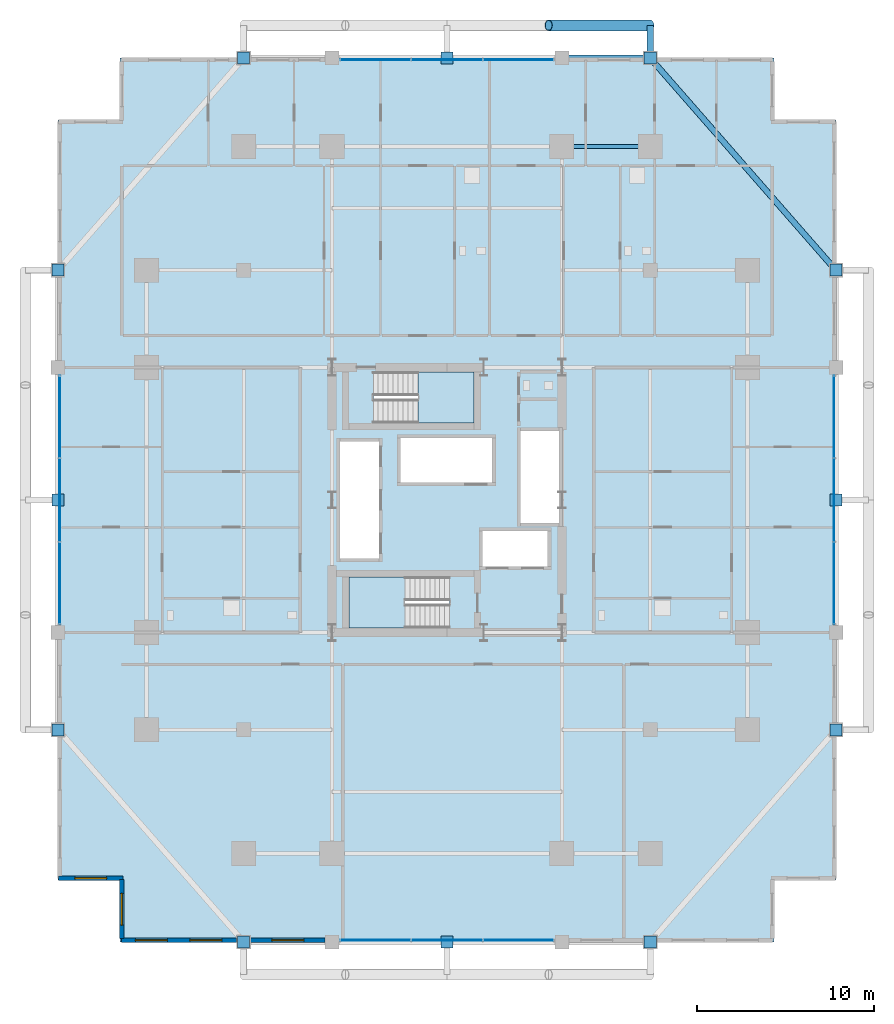
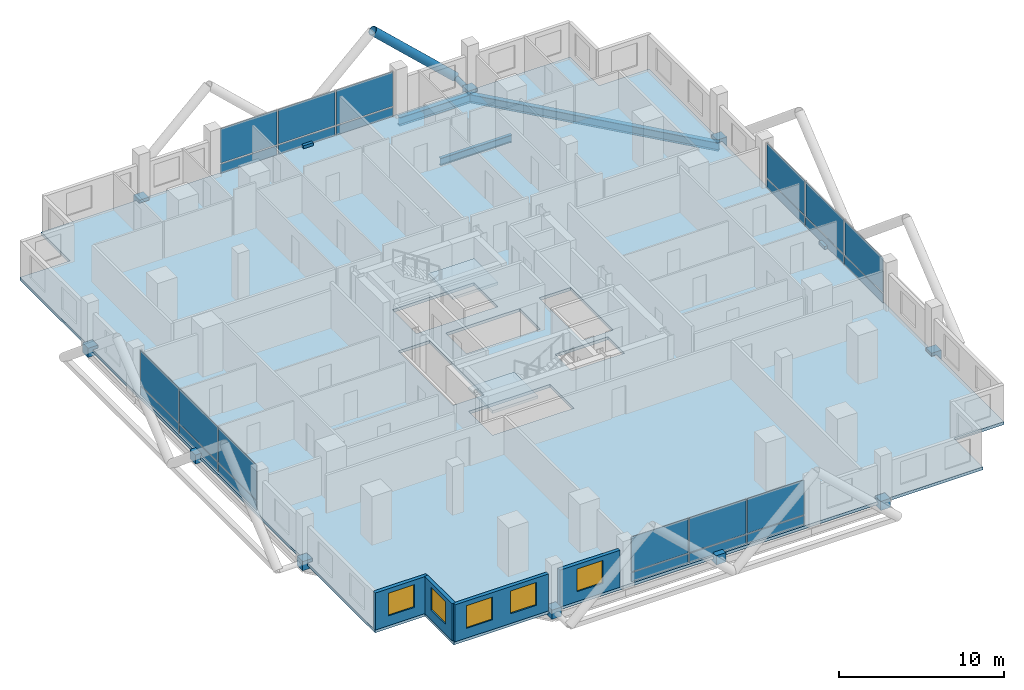
# One storey, part 20 of 27: 36 plates, 5 windows, 4 walls, 3 beams, 3 slabs, 2 members, 5 openings, 6 elements without a shape of their own.
"""IFC4 building model written with IfcOpenShell, lengths in metres."""

from ifc_helpers import new_model, si_unit, direction, frame, frame_2d, origin, origin_2d, place, context, subcontext, project, spatial, polyline, rectangle, hollow_circle, i_section, outline, extrude, material, layer, layer_set, material_profile, profile_set, type_object, element, fill, aggregate, save


model = new_model("IFC4")

# Units and contexts
model_context = context("Model", 3, precision=1e-05, world=origin(), true_north=direction((0.0, 1.0)))
body_context = subcontext(model_context, "Body", "Model", "MODEL_VIEW")
ifc_project = project(units=[si_unit("LENGTHUNIT", "METRE"), si_unit("AREAUNIT", "SQUARE_METRE"), si_unit("VOLUMEUNIT", "CUBIC_METRE"), si_unit("PLANEANGLEUNIT", "RADIAN"), si_unit("MASSUNIT", "GRAM", prefix="KILO")], contexts=[model_context])

# Site, building, storey
site_placement = place(None, origin())
site = spatial("IfcSite", under=ifc_project, at=site_placement, CompositionType="ELEMENT")
building_placement = place(site_placement, origin())
building = spatial("IfcBuilding", under=site, at=building_placement, Name="Barlavira Tower and Art Museum", CompositionType="ELEMENT")
storey_placement = place(building_placement, frame((0.0, 0.0, 61.199951171875)))
storey = spatial("IfcBuildingStorey", under=building, at=storey_placement, Name="L14", CompositionType="ELEMENT", Elevation=61.199951171875)

# Members
ifc_material_1 = material(Name="Steel S355", Category="steel")
ifc_material_profile_1 = material_profile(ifc_material_1, hollow_circle(Radius=0.304931640625, WallThickness=0.028076171875, at=origin_2d()), Name="CHS 610.0x28.0")
ifc_profile_set_1 = profile_set([ifc_material_profile_1], Name="Steel S355")
member_type_1 = type_object("IfcMemberType", Name="Pale-Metal Exoskeleton Diagrid Tube CHS 610x28 Steel S355", PredefinedType="BRACE", material=ifc_profile_set_1)
member_1_placement = place(storey_placement, frame((11.5, 26.85009765625, -0.119873046875), z_axis=(-0.728950095515, 0.0, 0.684566839869), x_axis=(0.0, -1.0, 0.0)))
element("IfcMember", 1, at=member_1_placement, inside=storey, type_object=member_type_1, Name="L14 Exoskeleton Diagrid Tube N", PredefinedType="BRACE", context=body_context, shape_type="SweptSolid", body=[
    extrude(hollow_circle(Radius=0.304931640625, WallThickness=0.028076171875, at=origin_2d()), origin(), (0.0, 0.0, 1.0), 7.887939453125),
])
ifc_material_profile_2 = material_profile(ifc_material_1, hollow_circle(Radius=0.177734375, WallThickness=0.01611328125, at=origin_2d()), Name="CHS 355.6x16.0")
ifc_profile_set_2 = profile_set([ifc_material_profile_2], Name="Steel S355")
member_type_2 = type_object("IfcMemberType", Name="Pale-Metal Exoskeleton Tie Strut CHS 356x16 Steel S355", PredefinedType="STRUT", material=ifc_profile_set_2)
member_2_placement = place(storey_placement, frame((11.5, 26.85009765625, -0.119873046875), z_axis=(0.0, -1.0, 0.0), x_axis=(1.0, 0.0, 0.0)))
element("IfcMember", 2, at=member_2_placement, inside=storey, type_object=member_type_2, Name="L14 Exoskeleton Tie Strut N3", PredefinedType="STRUT", context=body_context, shape_type="SweptSolid", body=[
    extrude(hollow_circle(Radius=0.177734375, WallThickness=0.01611328125, at=origin_2d()), origin(), (0.0, 0.0, 1.0), 1.85009765625),
])

# Beams
ifc_material_profile_3 = material_profile(ifc_material_1, i_section(OverallWidth=0.327880859375, OverallDepth=0.62890625, WebThickness=0.013916015625, FlangeThickness=0.021484375, at=origin_2d()), Name="W610x174.0")
ifc_profile_set_3 = profile_set([ifc_material_profile_3], Name="Steel S355")
beam_type_1 = type_object("IfcBeamType", Name="Perimeter Spandrel Edge Beam W610x174 Steel S355", PredefinedType="SPANDREL", material=ifc_profile_set_3)
beam_1_placement = place(storey_placement, frame((22.0, 13.0, -0.534423828125), z_axis=(-0.658504607869, 0.752576694707, 0.0), x_axis=(-0.752576694707, -0.658504607869, 0.0)))
element("IfcBeam", 3, at=beam_1_placement, inside=storey, type_object=beam_type_1, Name="L14 Spandrel 8", PredefinedType="SPANDREL", context=body_context, shape_type="SweptSolid", body=[
    extrude(i_section(OverallWidth=0.327880859375, OverallDepth=0.62890625, WebThickness=0.013916015625, FlangeThickness=0.021484375, at=origin_2d()), origin(), (0.0, 0.0, 1.0), 15.9453125),
])
beam_2_placement = place(storey_placement, frame((6.5, 25.0, -0.534423828125), z_axis=(1.0, 0.0, 0.0), x_axis=(0.0, 1.0, 0.0)))
element("IfcBeam", 4, at=beam_2_placement, inside=storey, type_object=beam_type_1, Name="L14 Spandrel 9", PredefinedType="SPANDREL", context=body_context, shape_type="SweptSolid", body=[
    extrude(i_section(OverallWidth=0.327880859375, OverallDepth=0.62890625, WebThickness=0.013916015625, FlangeThickness=0.021484375, at=origin_2d()), origin(), (0.0, 0.0, 1.0), 5.0),
])
ifc_material_profile_4 = material_profile(ifc_material_1, i_section(OverallWidth=0.214111328125, OverallDepth=0.549072265625, WebThickness=0.0146484375, FlangeThickness=0.023681640625, at=origin_2d()), Name="W530x138.0")
ifc_profile_set_4 = profile_set([ifc_material_profile_4], Name="Steel S355")
beam_type_2 = type_object("IfcBeamType", Name="Zone 1 Primary Floor Girder W530x138 Steel S355", PredefinedType="BEAM", material=ifc_profile_set_4)
beam_3_placement = place(storey_placement, frame((6.5, 20.0, -0.494384765625), z_axis=(1.0, 0.0, 0.0), x_axis=(0.0, 1.0, 0.0)))
element("IfcBeam", 5, at=beam_3_placement, inside=storey, type_object=beam_type_2, Name="L14 Girder M-N3", PredefinedType="BEAM", context=body_context, shape_type="SweptSolid", body=[
    extrude(i_section(OverallWidth=0.214111328125, OverallDepth=0.549072265625, WebThickness=0.0146484375, FlangeThickness=0.023681640625, at=origin_2d()), origin(), (0.0, 0.0, 1.0), 5.0),
])

# Curtain wall, plates
ifc_material_2 = material(Name="Low-iron coastal laminated glass", Category="glass")
ifc_layer_1 = layer(ifc_material_2, 0.179931640625, Name="Low-iron coastal laminated glass")
ifc_layer_set_1 = layer_set([ifc_layer_1], Name="Low-iron coastal laminated glass")
curtain_wall_type = type_object("IfcCurtainWallType", Name="Pale-Metal Unitised Curtain Wall Zone 1", PredefinedType="NOTDEFINED", material=ifc_layer_set_1)
curtain_wall_1_placement = place(storey_placement, origin())
curtain_wall_1 = element("IfcCurtainWall", 6, at=curtain_wall_1_placement, inside=storey, type_object=curtain_wall_type, Name="L14 Curtain Wall CW1-L14-S-B3", PredefinedType="NOTDEFINED")
ifc_material_3 = material(Name="Pale anodised aluminium", Category="aluminium")
ifc_layer_2 = layer(ifc_material_3, 0.044921875, Name="Pale anodised aluminium")
ifc_layer_set_2 = layer_set([ifc_layer_2], Name="Pale anodised aluminium")
plate_type_1 = type_object("IfcPlateType", Name="Curtain Wall Pale-Metal Spandrel Panel 45", PredefinedType="CURTAIN_PANEL", material=ifc_layer_set_2)
plate_1_placement = place(storey_placement, frame((-4.05322265625, -24.89990234375, 0.0400390625), z_axis=(0.0, 0.0, 1.0), x_axis=(1.0, 0.0, 0.0)))
plate_1 = element("IfcPlate", 7, at=plate_1_placement, type_object=plate_type_1, Name="CW1-L14-S-B3 Spandrel Panel 0", PredefinedType="CURTAIN_PANEL", context=body_context, shape_type="SweptSolid", body=[
    extrude(rectangle(XDim=3.953369140625, YDim=0.044921875, at=origin_2d()), origin(), (0.0, 0.0, 1.0), 0.6640625),
])
plate_2_placement = place(storey_placement, frame((0.0, -24.89990234375, 0.0400390625), z_axis=(0.0, 0.0, 1.0), x_axis=(1.0, 0.0, 0.0)))
plate_2 = element("IfcPlate", 8, at=plate_2_placement, type_object=plate_type_1, Name="CW1-L14-S-B3 Spandrel Panel 1", PredefinedType="CURTAIN_PANEL", context=body_context, shape_type="SweptSolid", body=[
    extrude(rectangle(XDim=3.953369140625, YDim=0.044921875, at=origin_2d()), origin(), (0.0, 0.0, 1.0), 0.6640625),
])
plate_3_placement = place(storey_placement, frame((4.05322265625, -24.89990234375, 0.0400390625), z_axis=(0.0, 0.0, 1.0), x_axis=(1.0, 0.0, 0.0)))
plate_3 = element("IfcPlate", 9, at=plate_3_placement, type_object=plate_type_1, Name="CW1-L14-S-B3 Spandrel Panel 2", PredefinedType="CURTAIN_PANEL", context=body_context, shape_type="SweptSolid", body=[
    extrude(rectangle(XDim=3.953369140625, YDim=0.044921875, at=origin_2d()), origin(), (0.0, 0.0, 1.0), 0.6640625),
])

curtain_wall_2_placement = place(storey_placement, origin())
curtain_wall_2 = element("IfcCurtainWall", 10, at=curtain_wall_2_placement, inside=storey, type_object=curtain_wall_type, Name="L14 Curtain Wall CW1-L14-N-B3", PredefinedType="NOTDEFINED")
plate_4_placement = place(storey_placement, frame((4.05322265625, 24.89990234375, 0.0400390625), z_axis=(0.0, 0.0, 1.0), x_axis=(-1.0, 0.0, 0.0)))
plate_4 = element("IfcPlate", 11, at=plate_4_placement, type_object=plate_type_1, Name="CW1-L14-N-B3 Spandrel Panel 0", PredefinedType="CURTAIN_PANEL", context=body_context, shape_type="SweptSolid", body=[
    extrude(rectangle(XDim=3.953369140625, YDim=0.044921875, at=origin_2d()), origin(), (0.0, 0.0, 1.0), 0.6640625),
])
plate_5_placement = place(storey_placement, frame((0.0, 24.89990234375, 0.0400390625), z_axis=(0.0, 0.0, 1.0), x_axis=(-1.0, 0.0, 0.0)))
plate_5 = element("IfcPlate", 12, at=plate_5_placement, type_object=plate_type_1, Name="CW1-L14-N-B3 Spandrel Panel 1", PredefinedType="CURTAIN_PANEL", context=body_context, shape_type="SweptSolid", body=[
    extrude(rectangle(XDim=3.953369140625, YDim=0.044921875, at=origin_2d()), origin(), (0.0, 0.0, 1.0), 0.6640625),
])
plate_6_placement = place(storey_placement, frame((-4.05322265625, 24.89990234375, 0.0400390625), z_axis=(0.0, 0.0, 1.0), x_axis=(-1.0, 0.0, 0.0)))
plate_6 = element("IfcPlate", 13, at=plate_6_placement, type_object=plate_type_1, Name="CW1-L14-N-B3 Spandrel Panel 2", PredefinedType="CURTAIN_PANEL", context=body_context, shape_type="SweptSolid", body=[
    extrude(rectangle(XDim=3.953369140625, YDim=0.044921875, at=origin_2d()), origin(), (0.0, 0.0, 1.0), 0.6640625),
])

curtain_wall_3_placement = place(storey_placement, origin())
curtain_wall_3 = element("IfcCurtainWall", 14, at=curtain_wall_3_placement, inside=storey, type_object=curtain_wall_type, Name="L14 Curtain Wall CW1-L14-W-B3", PredefinedType="NOTDEFINED")
plate_7_placement = place(storey_placement, frame((-21.89990234375, 4.719970703125, 0.0400390625), z_axis=(0.0, 0.0, 1.0), x_axis=(0.0, -1.0, 0.0)))
plate_7 = element("IfcPlate", 15, at=plate_7_placement, type_object=plate_type_1, Name="CW1-L14-W-B3 Spandrel Panel 0", PredefinedType="CURTAIN_PANEL", context=body_context, shape_type="SweptSolid", body=[
    extrude(rectangle(XDim=4.6201171875, YDim=0.044921875, at=origin_2d()), origin(), (0.0, 0.0, 1.0), 0.6640625),
])
plate_8_placement = place(storey_placement, frame((-21.89990234375, 0.0, 0.0400390625), z_axis=(0.0, 0.0, 1.0), x_axis=(0.0, -1.0, 0.0)))
plate_8 = element("IfcPlate", 16, at=plate_8_placement, type_object=plate_type_1, Name="CW1-L14-W-B3 Spandrel Panel 1", PredefinedType="CURTAIN_PANEL", context=body_context, shape_type="SweptSolid", body=[
    extrude(rectangle(XDim=4.6201171875, YDim=0.044921875, at=origin_2d()), origin(), (0.0, 0.0, 1.0), 0.6640625),
])
plate_9_placement = place(storey_placement, frame((-21.89990234375, -4.719970703125, 0.0400390625), z_axis=(0.0, 0.0, 1.0), x_axis=(0.0, -1.0, 0.0)))
plate_9 = element("IfcPlate", 17, at=plate_9_placement, type_object=plate_type_1, Name="CW1-L14-W-B3 Spandrel Panel 2", PredefinedType="CURTAIN_PANEL", context=body_context, shape_type="SweptSolid", body=[
    extrude(rectangle(XDim=4.6201171875, YDim=0.044921875, at=origin_2d()), origin(), (0.0, 0.0, 1.0), 0.6640625),
])

curtain_wall_4_placement = place(storey_placement, origin())
curtain_wall_4 = element("IfcCurtainWall", 18, at=curtain_wall_4_placement, inside=storey, type_object=curtain_wall_type, Name="L14 Curtain Wall CW1-L14-E-B3", PredefinedType="NOTDEFINED")
plate_10_placement = place(storey_placement, frame((21.89990234375, -4.719970703125, 0.0400390625), z_axis=(0.0, 0.0, 1.0), x_axis=(0.0, 1.0, 0.0)))
plate_10 = element("IfcPlate", 19, at=plate_10_placement, type_object=plate_type_1, Name="CW1-L14-E-B3 Spandrel Panel 0", PredefinedType="CURTAIN_PANEL", context=body_context, shape_type="SweptSolid", body=[
    extrude(rectangle(XDim=4.6201171875, YDim=0.044921875, at=origin_2d()), origin(), (0.0, 0.0, 1.0), 0.6640625),
])
plate_11_placement = place(storey_placement, frame((21.89990234375, 0.0, 0.0400390625), z_axis=(0.0, 0.0, 1.0), x_axis=(0.0, 1.0, 0.0)))
plate_11 = element("IfcPlate", 20, at=plate_11_placement, type_object=plate_type_1, Name="CW1-L14-E-B3 Spandrel Panel 1", PredefinedType="CURTAIN_PANEL", context=body_context, shape_type="SweptSolid", body=[
    extrude(rectangle(XDim=4.6201171875, YDim=0.044921875, at=origin_2d()), origin(), (0.0, 0.0, 1.0), 0.6640625),
])
plate_12_placement = place(storey_placement, frame((21.89990234375, 4.719970703125, 0.0400390625), z_axis=(0.0, 0.0, 1.0), x_axis=(0.0, 1.0, 0.0)))
plate_12 = element("IfcPlate", 21, at=plate_12_placement, type_object=plate_type_1, Name="CW1-L14-E-B3 Spandrel Panel 2", PredefinedType="CURTAIN_PANEL", context=body_context, shape_type="SweptSolid", body=[
    extrude(rectangle(XDim=4.6201171875, YDim=0.044921875, at=origin_2d()), origin(), (0.0, 0.0, 1.0), 0.6640625),
])

# Plate
ifc_layer_3 = layer(ifc_material_2, 0.028076171875, Name="Low-iron coastal laminated glass")
ifc_layer_set_3 = layer_set([ifc_layer_3], Name="Low-iron coastal laminated glass")
plate_type_2 = type_object("IfcPlateType", Name="Curtain Wall Vision Glazing Panel 28", PredefinedType="CURTAIN_PANEL", material=ifc_layer_set_3)
plate_13_placement = place(storey_placement, frame((-4.05322265625, -24.89990234375, 0.7841796875), z_axis=(0.0, 0.0, 1.0), x_axis=(1.0, 0.0, 0.0)))
plate_13 = element("IfcPlate", 22, at=plate_13_placement, type_object=plate_type_2, Name="CW1-L14-S-B3 Vision Glass Panel 0", PredefinedType="CURTAIN_PANEL", context=body_context, shape_type="SweptSolid", body=[
    extrude(rectangle(XDim=3.953369140625, YDim=0.028076171875, at=origin_2d()), origin(), (0.0, 0.0, 1.0), 2.555908203125),
])

plate_14_placement = place(storey_placement, frame((0.0, -24.89990234375, 0.7841796875), z_axis=(0.0, 0.0, 1.0), x_axis=(1.0, 0.0, 0.0)))
plate_14 = element("IfcPlate", 23, at=plate_14_placement, type_object=plate_type_2, Name="CW1-L14-S-B3 Vision Glass Panel 1", PredefinedType="CURTAIN_PANEL", context=body_context, shape_type="SweptSolid", body=[
    extrude(rectangle(XDim=3.953369140625, YDim=0.028076171875, at=origin_2d()), origin(), (0.0, 0.0, 1.0), 2.555908203125),
])

plate_15_placement = place(storey_placement, frame((4.05322265625, -24.89990234375, 0.7841796875), z_axis=(0.0, 0.0, 1.0), x_axis=(1.0, 0.0, 0.0)))
plate_15 = element("IfcPlate", 24, at=plate_15_placement, type_object=plate_type_2, Name="CW1-L14-S-B3 Vision Glass Panel 2", PredefinedType="CURTAIN_PANEL", context=body_context, shape_type="SweptSolid", body=[
    extrude(rectangle(XDim=3.953369140625, YDim=0.028076171875, at=origin_2d()), origin(), (0.0, 0.0, 1.0), 2.555908203125),
])

aggregate(curtain_wall_1, [plate_1, plate_13, plate_2, plate_14, plate_3, plate_15])

plate_16_placement = place(storey_placement, frame((4.05322265625, 24.89990234375, 0.7841796875), z_axis=(0.0, 0.0, 1.0), x_axis=(-1.0, 0.0, 0.0)))
plate_16 = element("IfcPlate", 25, at=plate_16_placement, type_object=plate_type_2, Name="CW1-L14-N-B3 Vision Glass Panel 0", PredefinedType="CURTAIN_PANEL", context=body_context, shape_type="SweptSolid", body=[
    extrude(rectangle(XDim=3.953369140625, YDim=0.028076171875, at=origin_2d()), origin(), (0.0, 0.0, 1.0), 2.555908203125),
])

plate_17_placement = place(storey_placement, frame((0.0, 24.89990234375, 0.7841796875), z_axis=(0.0, 0.0, 1.0), x_axis=(-1.0, 0.0, 0.0)))
plate_17 = element("IfcPlate", 26, at=plate_17_placement, type_object=plate_type_2, Name="CW1-L14-N-B3 Vision Glass Panel 1", PredefinedType="CURTAIN_PANEL", context=body_context, shape_type="SweptSolid", body=[
    extrude(rectangle(XDim=3.953369140625, YDim=0.028076171875, at=origin_2d()), origin(), (0.0, 0.0, 1.0), 2.555908203125),
])

plate_18_placement = place(storey_placement, frame((-4.05322265625, 24.89990234375, 0.7841796875), z_axis=(0.0, 0.0, 1.0), x_axis=(-1.0, 0.0, 0.0)))
plate_18 = element("IfcPlate", 27, at=plate_18_placement, type_object=plate_type_2, Name="CW1-L14-N-B3 Vision Glass Panel 2", PredefinedType="CURTAIN_PANEL", context=body_context, shape_type="SweptSolid", body=[
    extrude(rectangle(XDim=3.953369140625, YDim=0.028076171875, at=origin_2d()), origin(), (0.0, 0.0, 1.0), 2.555908203125),
])

aggregate(curtain_wall_2, [plate_4, plate_16, plate_5, plate_17, plate_6, plate_18])

plate_19_placement = place(storey_placement, frame((-21.89990234375, 4.719970703125, 0.7841796875), z_axis=(0.0, 0.0, 1.0), x_axis=(0.0, -1.0, 0.0)))
plate_19 = element("IfcPlate", 28, at=plate_19_placement, type_object=plate_type_2, Name="CW1-L14-W-B3 Vision Glass Panel 0", PredefinedType="CURTAIN_PANEL", context=body_context, shape_type="SweptSolid", body=[
    extrude(rectangle(XDim=4.6201171875, YDim=0.028076171875, at=origin_2d()), origin(), (0.0, 0.0, 1.0), 2.555908203125),
])

plate_20_placement = place(storey_placement, frame((-21.89990234375, 0.0, 0.7841796875), z_axis=(0.0, 0.0, 1.0), x_axis=(0.0, -1.0, 0.0)))
plate_20 = element("IfcPlate", 29, at=plate_20_placement, type_object=plate_type_2, Name="CW1-L14-W-B3 Vision Glass Panel 1", PredefinedType="CURTAIN_PANEL", context=body_context, shape_type="SweptSolid", body=[
    extrude(rectangle(XDim=4.6201171875, YDim=0.028076171875, at=origin_2d()), origin(), (0.0, 0.0, 1.0), 2.555908203125),
])

plate_21_placement = place(storey_placement, frame((-21.89990234375, -4.719970703125, 0.7841796875), z_axis=(0.0, 0.0, 1.0), x_axis=(0.0, -1.0, 0.0)))
plate_21 = element("IfcPlate", 30, at=plate_21_placement, type_object=plate_type_2, Name="CW1-L14-W-B3 Vision Glass Panel 2", PredefinedType="CURTAIN_PANEL", context=body_context, shape_type="SweptSolid", body=[
    extrude(rectangle(XDim=4.6201171875, YDim=0.028076171875, at=origin_2d()), origin(), (0.0, 0.0, 1.0), 2.555908203125),
])

aggregate(curtain_wall_3, [plate_7, plate_19, plate_8, plate_20, plate_9, plate_21])

plate_22_placement = place(storey_placement, frame((21.89990234375, -4.719970703125, 0.7841796875), z_axis=(0.0, 0.0, 1.0), x_axis=(0.0, 1.0, 0.0)))
plate_22 = element("IfcPlate", 31, at=plate_22_placement, type_object=plate_type_2, Name="CW1-L14-E-B3 Vision Glass Panel 0", PredefinedType="CURTAIN_PANEL", context=body_context, shape_type="SweptSolid", body=[
    extrude(rectangle(XDim=4.6201171875, YDim=0.028076171875, at=origin_2d()), origin(), (0.0, 0.0, 1.0), 2.555908203125),
])

plate_23_placement = place(storey_placement, frame((21.89990234375, 0.0, 0.7841796875), z_axis=(0.0, 0.0, 1.0), x_axis=(0.0, 1.0, 0.0)))
plate_23 = element("IfcPlate", 32, at=plate_23_placement, type_object=plate_type_2, Name="CW1-L14-E-B3 Vision Glass Panel 1", PredefinedType="CURTAIN_PANEL", context=body_context, shape_type="SweptSolid", body=[
    extrude(rectangle(XDim=4.6201171875, YDim=0.028076171875, at=origin_2d()), origin(), (0.0, 0.0, 1.0), 2.555908203125),
])

plate_24_placement = place(storey_placement, frame((21.89990234375, 4.719970703125, 0.7841796875), z_axis=(0.0, 0.0, 1.0), x_axis=(0.0, 1.0, 0.0)))
plate_24 = element("IfcPlate", 33, at=plate_24_placement, type_object=plate_type_2, Name="CW1-L14-E-B3 Vision Glass Panel 2", PredefinedType="CURTAIN_PANEL", context=body_context, shape_type="SweptSolid", body=[
    extrude(rectangle(XDim=4.6201171875, YDim=0.028076171875, at=origin_2d()), origin(), (0.0, 0.0, 1.0), 2.555908203125),
])

aggregate(curtain_wall_4, [plate_10, plate_22, plate_11, plate_23, plate_12, plate_24])

# Plates
ifc_layer_4 = layer(ifc_material_1, 0.679931640625, Name="Steel S355")
ifc_layer_set_4 = layer_set([ifc_layer_4], Name="Steel S355")
plate_type_3 = type_object("IfcPlateType", Name="Exoskeleton Tie-Back Solid Cap Plate Assembly Type 5 Steel S355", PredefinedType="USERDEFINED", material=ifc_layer_set_4)
for number, where, z_axis, x_axis, name in (
    (34, (-11.5, -25.0, -0.4599609375), (0.0, 0.0, 1.0), (1.0, 0.0, 0.0), "Slab Edge Tie Cap Plate S1 ND-L14-0114"),
    (35, (0.0, -25.0, -0.4599609375), (0.0, 0.0, 1.0), (1.0, 0.0, 0.0), "Slab Edge Tie Cap Plate S2 ND-L14-0115"),
    (36, (11.5, -25.0, -0.4599609375), (0.0, 0.0, 1.0), (1.0, 0.0, 0.0), "Slab Edge Tie Cap Plate S3 ND-L14-0116"),
    (37, (-11.5, 25.0, -0.4599609375), (0.0, 0.0, 1.0), (1.0, 0.0, 0.0), "Slab Edge Tie Cap Plate N1 ND-L14-0122"),
    (38, (0.0, 25.0, -0.4599609375), (0.0, 0.0, 1.0), (1.0, 0.0, 0.0), "Slab Edge Tie Cap Plate N2 ND-L14-0123"),
    (39, (11.5, 25.0, -0.4599609375), (0.0, 0.0, 1.0), (1.0, 0.0, 0.0), "Slab Edge Tie Cap Plate N3 ND-L14-0124"),
    (40, (-22.0, -13.0, -0.4599609375), (0.0, 0.0, 1.0), (1.0, 0.0, 0.0), "Slab Edge Tie Cap Plate W1 ND-L14-0130"),
    (41, (-22.0, 0.0, -0.4599609375), (0.0, 0.0, 1.0), (1.0, 0.0, 0.0), "Slab Edge Tie Cap Plate W2 ND-L14-0131"),
    (42, (-22.0, 13.0, -0.4599609375), (0.0, 0.0, 1.0), (1.0, 0.0, 0.0), "Slab Edge Tie Cap Plate W3 ND-L14-0132"),
    (43, (22.0, -13.0, -0.4599609375), (0.0, 0.0, 1.0), (1.0, 0.0, 0.0), "Slab Edge Tie Cap Plate E1 ND-L14-0138"),
    (44, (22.0, 0.0, -0.4599609375), (0.0, 0.0, 1.0), (1.0, 0.0, 0.0), "Slab Edge Tie Cap Plate E2 ND-L14-0139"),
    (45, (22.0, 13.0, -0.4599609375), (0.0, 0.0, 1.0), (1.0, 0.0, 0.0), "Slab Edge Tie Cap Plate E3 ND-L14-0140"),
):
    element("IfcPlate", number, at=place(storey_placement, frame(where, z_axis=z_axis, x_axis=x_axis)), inside=storey, type_object=plate_type_3, Name=name, ObjectType="FLANGE_PLATE", PredefinedType="USERDEFINED", context=body_context, shape_type="SweptSolid", body=[
        extrude(rectangle(XDim=0.679931640625, YDim=0.679931640625, at=origin_2d()), origin(), (0.0, 0.0, 1.0), 0.679931640625),
    ])

# Stair, slab
ifc_material_4 = material(Name="Concrete C45", Category="concrete")
stair_type_1 = type_object("IfcStairType", Name="Tower North Dog-Leg Exit Stair Assembly Concrete C45", PredefinedType="TWO_QUARTER_TURN_STAIR", material=ifc_material_4)
stair_1_placement = place(storey_placement, origin())
stair_1 = element("IfcStair", 46, at=stair_1_placement, inside=storey, type_object=stair_type_1, Name="L14 Tower North Exit Stair ST-T2", PredefinedType="TWO_QUARTER_TURN_STAIR")
ifc_layer_5 = layer(ifc_material_4, 0.199951171875, Name="Concrete C45")
ifc_layer_set_5 = layer_set([ifc_layer_5], Name="Concrete C45")
slab_type_1 = type_object("IfcSlabType", Name="Tower North Dog-Leg Exit Stair Half-Landing Slab 200 Concrete C45", PredefinedType="LANDING", material=ifc_layer_set_5)
slab_1_placement = place(storey_placement, frame((0.0, 0.0, 1.60009765625)))
slab_1 = element("IfcSlab", 47, at=slab_1_placement, type_object=slab_type_1, Name="ST-T2 landing 1", PredefinedType="LANDING", context=body_context, shape_type="SweptSolid", body=[
    extrude(outline(polyline([(-1.64990234375, 4.35009765625), (1.530029296875, 4.35009765625), (1.530029296875, 7.25), (-1.64990234375, 7.25), (-1.64990234375, 4.35009765625)])), origin(), (0.0, 0.0, 1.0), 0.199951171875),
])
aggregate(stair_1, [slab_1])

stair_type_2 = type_object("IfcStairType", Name="Tower South Dog-Leg Exit Stair Assembly Concrete C45", PredefinedType="TWO_QUARTER_TURN_STAIR", material=ifc_material_4)
stair_2_placement = place(storey_placement, origin())
stair_2 = element("IfcStair", 48, at=stair_2_placement, inside=storey, type_object=stair_type_2, Name="L14 Tower South Exit Stair ST-T1", PredefinedType="TWO_QUARTER_TURN_STAIR")
ifc_layer_6 = layer(ifc_material_4, 0.199951171875, Name="Concrete C45")
ifc_layer_set_6 = layer_set([ifc_layer_6], Name="Concrete C45")
slab_type_2 = type_object("IfcSlabType", Name="Tower South Dog-Leg Exit Stair Half-Landing Slab 200 Concrete C45", PredefinedType="LANDING", material=ifc_layer_set_6)
slab_2_placement = place(storey_placement, frame((0.0, 0.0, 1.60009765625)))
slab_2 = element("IfcSlab", 49, at=slab_2_placement, type_object=slab_type_2, Name="ST-T1 landing 1", PredefinedType="LANDING", context=body_context, shape_type="SweptSolid", body=[
    extrude(outline(polyline([(-2.3701171875, -4.35009765625), (-5.550048828125, -4.35009765625), (-5.550048828125, -7.25), (-2.3701171875, -7.25), (-2.3701171875, -4.35009765625)])), origin(), (0.0, 0.0, 1.0), 0.199951171875),
])
aggregate(stair_2, [slab_2])

# Slab
ifc_material_5 = material(Name="Concrete C50", Category="concrete")
ifc_layer_7 = layer(ifc_material_5, 0.219970703125, Name="Concrete C50")
ifc_layer_set_7 = layer_set([ifc_layer_7], Name="Concrete C50")
slab_type_3 = type_object("IfcSlabType", Name="Zone 1 Residential Composite Slab 220 Concrete C50", PredefinedType="FLOOR", material=ifc_layer_set_7)
slab_3_placement = place(storey_placement, frame((0.0, 0.0, -0.219970703125)))
element("IfcSlab", 50, at=slab_3_placement, inside=storey, type_object=slab_type_3, Name="L14 Tower Floor Slab", PredefinedType="FLOOR", context=body_context, shape_type="SweptSolid", body=[
    extrude(outline(polyline([(-18.5, -25.0), (18.5, -25.0), (18.5, -21.5), (22.0, -21.5), (22.0, 21.5), (18.5, 21.5), (18.5, 25.0), (-18.5, 25.0), (-18.5, 21.5), (-22.0, 21.5), (-22.0, -21.5), (-18.5, -21.5), (-18.5, -25.0)]), holes=[polyline([(0.14990234375, -4.35009765625), (-5.550048828125, -4.35009765625), (-5.550048828125, -7.25), (0.14990234375, -7.25), (0.14990234375, -4.35009765625)]), polyline([(-4.169921875, 4.35009765625), (1.530029296875, 4.35009765625), (1.530029296875, 7.25), (-4.169921875, 7.25), (-4.169921875, 4.35009765625)]), polyline([(-6.050048828125, -3.31005859375), (-3.85009765625, -3.31005859375), (-3.85009765625, 3.31005859375), (-6.050048828125, 3.31005859375), (-6.050048828125, -3.31005859375)]), polyline([(4.14990234375, -1.2900390625), (6.35009765625, -1.2900390625), (6.35009765625, 3.889892578125), (4.14990234375, 3.889892578125), (4.14990234375, -1.2900390625)]), polyline([(-2.6201171875, 1.0), (2.56005859375, 1.0), (2.56005859375, 3.5), (-2.6201171875, 3.5), (-2.6201171875, 1.0)]), polyline([(2.0, -3.75), (5.699951171875, -3.75), (5.699951171875, -1.75), (2.0, -1.75), (2.0, -3.75)])]), origin(), (0.0, 0.0, 1.0), 0.219970703125),
])

# Wall, openings, windows
ifc_material_6 = material(Name="Precast concrete C40", Category="concrete")
ifc_layer_8 = layer(ifc_material_6, 0.25, Name="Precast concrete C40")
ifc_layer_set_8 = layer_set([ifc_layer_8], Name="Precast concrete C40")
wall_type = type_object("IfcWallType", Name="Notched Corner Spandrel Wall 250 Precast Concrete C40", PredefinedType="SOLIDWALL", material=ifc_layer_set_8)
wall_1_placement = place(storey_placement, frame((-18.425048828125, -24.89990234375, 0.0), z_axis=(0.0, 0.0, 1.0), x_axis=(1.0, 0.0, 0.0)))
wall_1 = element("IfcWall", 51, at=wall_1_placement, inside=storey, type_object=wall_type, Name="L14 Coastal Facade Pier Wall CW1-L14-S-1", PredefinedType="SOLIDWALL", context=body_context, shape_type="SweptSolid", body=[
    extrude(rectangle(XDim=6.530029296875, YDim=0.25, at=frame_2d((3.26513671875, 0.0))), origin(), (0.0, 0.0, 1.0), 2.736083984375),
])
opening_1_placement = place(wall_1_placement, frame((0.801025390625, 0.0, 0.719970703125)))
opening_1 = element("IfcOpeningElement", 52, at=opening_1_placement, cuts=wall_1, Name="Opening WN-01", PredefinedType="OPENING", context=body_context, shape_type="SweptSolid", body=[
    extrude(rectangle(XDim=1.800048828125, YDim=1.679931640625, at=frame_2d((0.89990234375, 0.83984375))), frame((0.0, 0.135009765625, 0.0), z_axis=(0.0, -1.0, 0.0), x_axis=(1.0, 0.0, 0.0)), (0.0, 0.0, 1.0), 0.27001953125),
])
opening_2_placement = place(wall_1_placement, frame((3.884033203125, 0.0, 0.719970703125)))
opening_2 = element("IfcOpeningElement", 53, at=opening_2_placement, cuts=wall_1, Name="Opening WN-01", PredefinedType="OPENING", context=body_context, shape_type="SweptSolid", body=[
    extrude(rectangle(XDim=1.800048828125, YDim=1.679931640625, at=frame_2d((0.89990234375, 0.83984375))), frame((0.0, 0.135009765625, 0.0), z_axis=(0.0, -1.0, 0.0), x_axis=(1.0, 0.0, 0.0)), (0.0, 0.0, 1.0), 0.27001953125),
])
window_type = type_object("IfcWindowType", Name="Recessed Notch Corner Punch Window 1800x1680", PartitioningType="SINGLE_PANEL", PredefinedType="WINDOW", material=ifc_material_2)
window_1_placement = place(opening_1_placement, origin())
window_1 = element("IfcWindow", 54, at=window_1_placement, inside=storey, type_object=window_type, Name="L14 Punched Facade Window EWP-CW1-L14-S-1-1", OverallHeight=1.679931640625, OverallWidth=1.800048828125, PartitioningType="SINGLE_PANEL", PredefinedType="WINDOW", context=body_context, shape_type="SweptSolid", body=[
    extrude(rectangle(XDim=1.800048828125, YDim=1.679931640625, at=frame_2d((0.89990234375, 0.83984375))), frame((0.0, 0.030029296875, 0.0), z_axis=(0.0, -1.0, 0.0), x_axis=(1.0, 0.0, 0.0)), (0.0, 0.0, 1.0), 0.06005859375),
])
fill(opening_1, window_1)
window_2_placement = place(opening_2_placement, origin())
window_2 = element("IfcWindow", 55, at=window_2_placement, inside=storey, type_object=window_type, Name="L14 Punched Facade Window EWP-CW1-L14-S-1-2", OverallHeight=1.679931640625, OverallWidth=1.800048828125, PartitioningType="SINGLE_PANEL", PredefinedType="WINDOW", context=body_context, shape_type="SweptSolid", body=[
    extrude(rectangle(XDim=1.800048828125, YDim=1.679931640625, at=frame_2d((0.89990234375, 0.83984375))), frame((0.0, 0.030029296875, 0.0), z_axis=(0.0, -1.0, 0.0), x_axis=(1.0, 0.0, 0.0)), (0.0, 0.0, 1.0), 0.06005859375),
])
fill(opening_2, window_2)

# Wall, opening, window
wall_2_placement = place(storey_placement, frame((-11.10498046875, -24.89990234375, 0.0), z_axis=(0.0, 0.0, 1.0), x_axis=(1.0, 0.0, 0.0)))
wall_2 = element("IfcWall", 56, at=wall_2_placement, inside=storey, type_object=wall_type, Name="L14 Coastal Facade Pier Wall CW1-L14-S-2", PredefinedType="SOLIDWALL", context=body_context, shape_type="SweptSolid", body=[
    extrude(rectangle(XDim=4.2099609375, YDim=0.25, at=frame_2d((2.10498046875, 0.0))), origin(), (0.0, 0.0, 1.0), 2.736083984375),
])
opening_3_placement = place(wall_2_placement, frame((1.205078125, 0.0, 0.719970703125)))
opening_3 = element("IfcOpeningElement", 57, at=opening_3_placement, cuts=wall_2, Name="Opening WN-01", PredefinedType="OPENING", context=body_context, shape_type="SweptSolid", body=[
    extrude(rectangle(XDim=1.800048828125, YDim=1.679931640625, at=frame_2d((0.89990234375, 0.83984375))), frame((0.0, 0.135009765625, 0.0), z_axis=(0.0, -1.0, 0.0), x_axis=(1.0, 0.0, 0.0)), (0.0, 0.0, 1.0), 0.27001953125),
])
window_3_placement = place(opening_3_placement, origin())
window_3 = element("IfcWindow", 58, at=window_3_placement, inside=storey, type_object=window_type, Name="L14 Punched Facade Window EWP-CW1-L14-S-2-1", OverallHeight=1.679931640625, OverallWidth=1.800048828125, PartitioningType="SINGLE_PANEL", PredefinedType="WINDOW", context=body_context, shape_type="SweptSolid", body=[
    extrude(rectangle(XDim=1.800048828125, YDim=1.679931640625, at=frame_2d((0.89990234375, 0.83984375))), frame((0.0, 0.030029296875, 0.0), z_axis=(0.0, -1.0, 0.0), x_axis=(1.0, 0.0, 0.0)), (0.0, 0.0, 1.0), 0.06005859375),
])
fill(opening_3, window_3)

wall_3_placement = place(storey_placement, frame((-21.97998046875, -21.39990234375, 0.0), z_axis=(0.0, 0.0, 1.0), x_axis=(1.0, 0.0, 0.0)))
wall_3 = element("IfcWall", 59, at=wall_3_placement, inside=storey, type_object=wall_type, Name="L14 Notch Corner Wall SW1", PredefinedType="SOLIDWALL", context=body_context, shape_type="SweptSolid", body=[
    extrude(rectangle(XDim=3.659912109375, YDim=0.25, at=frame_2d((1.830078125, 0.0))), origin(), (0.0, 0.0, 1.0), 2.736083984375),
])
opening_4_placement = place(wall_3_placement, frame((0.929931640625, 0.0, 0.719970703125)))
opening_4 = element("IfcOpeningElement", 60, at=opening_4_placement, cuts=wall_3, Name="Opening WN-01", PredefinedType="OPENING", context=body_context, shape_type="SweptSolid", body=[
    extrude(rectangle(XDim=1.800048828125, YDim=1.679931640625, at=frame_2d((0.89990234375, 0.83984375))), frame((0.0, 0.135009765625, 0.0), z_axis=(0.0, -1.0, 0.0), x_axis=(1.0, 0.0, 0.0)), (0.0, 0.0, 1.0), 0.27001953125),
])
window_4_placement = place(opening_4_placement, origin())
window_4 = element("IfcWindow", 61, at=window_4_placement, inside=storey, type_object=window_type, Name="L14 Punched Facade Window EW-NTC-L14-SW1-1", OverallHeight=1.679931640625, OverallWidth=1.800048828125, PartitioningType="SINGLE_PANEL", PredefinedType="WINDOW", context=body_context, shape_type="SweptSolid", body=[
    extrude(rectangle(XDim=1.800048828125, YDim=1.679931640625, at=frame_2d((0.89990234375, 0.83984375))), frame((0.0, 0.030029296875, 0.0), z_axis=(0.0, -1.0, 0.0), x_axis=(1.0, 0.0, 0.0)), (0.0, 0.0, 1.0), 0.06005859375),
])
fill(opening_4, window_4)

wall_4_placement = place(storey_placement, frame((-18.39990234375, -21.47998046875, 0.0), z_axis=(0.0, 0.0, 1.0), x_axis=(0.0, -1.0, 0.0)))
wall_4 = element("IfcWall", 62, at=wall_4_placement, inside=storey, type_object=wall_type, Name="L14 Notch Corner Wall SW2", PredefinedType="SOLIDWALL", context=body_context, shape_type="SweptSolid", body=[
    extrude(rectangle(XDim=3.340087890625, YDim=0.25, at=frame_2d((1.669921875, 0.0))), origin(), (0.0, 0.0, 1.0), 2.736083984375),
])
opening_5_placement = place(wall_4_placement, frame((0.77001953125, 0.0, 0.719970703125)))
opening_5 = element("IfcOpeningElement", 63, at=opening_5_placement, cuts=wall_4, Name="Opening WN-01", PredefinedType="OPENING", context=body_context, shape_type="SweptSolid", body=[
    extrude(rectangle(XDim=1.800048828125, YDim=1.679931640625, at=frame_2d((0.89990234375, 0.83984375))), frame((0.0, 0.135009765625, 0.0), z_axis=(0.0, -1.0, 0.0), x_axis=(1.0, 0.0, 0.0)), (0.0, 0.0, 1.0), 0.27001953125),
])
window_5_placement = place(opening_5_placement, origin())
window_5 = element("IfcWindow", 64, at=window_5_placement, inside=storey, type_object=window_type, Name="L14 Punched Facade Window EW-NTC-L14-SW2-1", OverallHeight=1.679931640625, OverallWidth=1.800048828125, PartitioningType="SINGLE_PANEL", PredefinedType="WINDOW", context=body_context, shape_type="SweptSolid", body=[
    extrude(rectangle(XDim=1.800048828125, YDim=1.679931640625, at=frame_2d((0.89990234375, 0.83984375))), frame((0.0, 0.030029296875, 0.0), z_axis=(0.0, -1.0, 0.0), x_axis=(1.0, 0.0, 0.0)), (0.0, 0.0, 1.0), 0.06005859375),
])
fill(opening_5, window_5)

save(model, "model.ifc")
